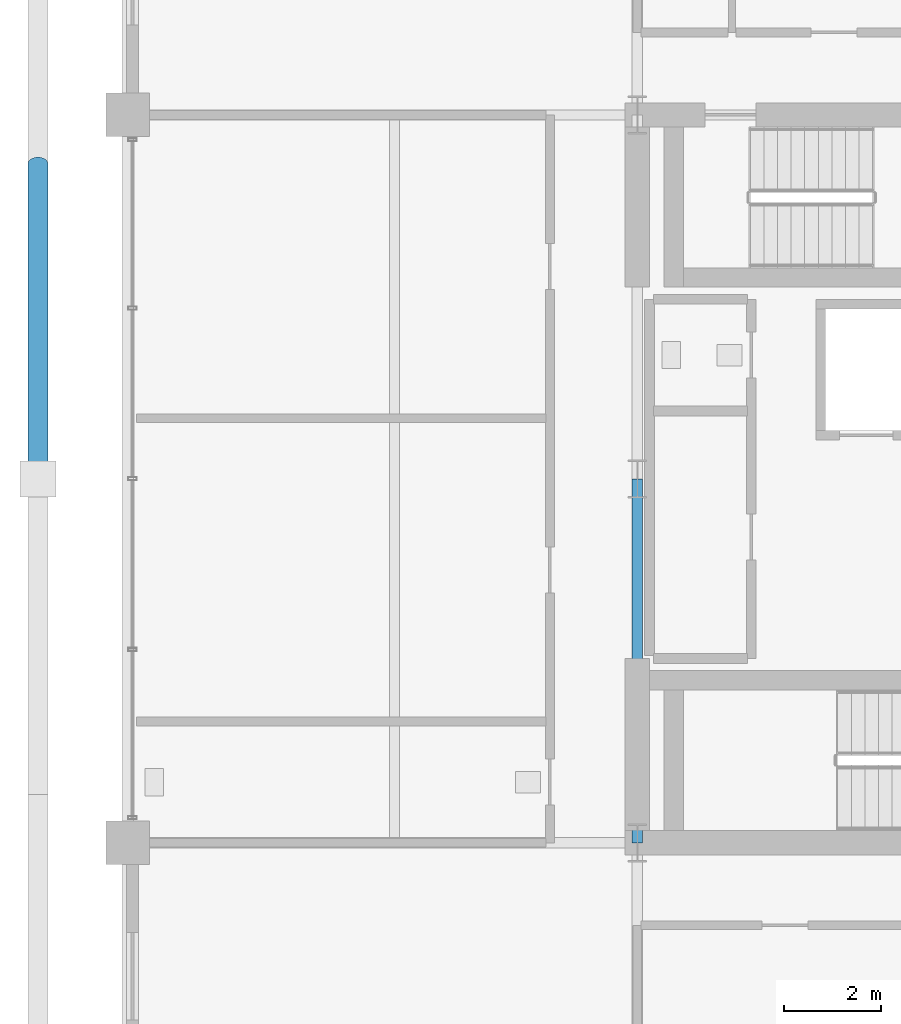
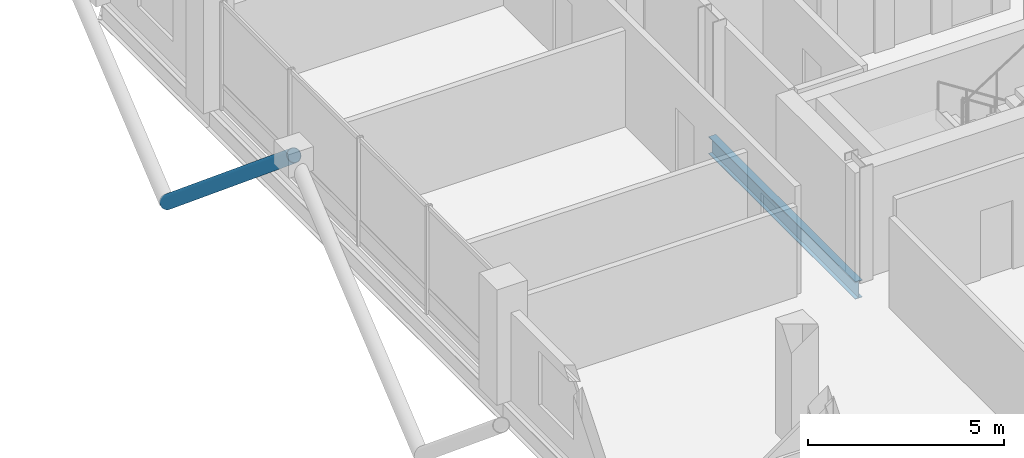
# One storey, part 8 of 23: 1 beam, 1 member.
"""IFC4 building model written with IfcOpenShell, lengths in metres."""

import ifcopenshell
import ifcopenshell.guid

model = None  # the IFC model being written
_history = None  # IfcOwnerHistory: only IFC2X3 demands one
_inside = {}  # id of a spatial element -> (the spatial element, [elements in it])
_under = {}  # id of a project, library or spatial element -> (it, [spatial elements below it])
_declared = {}  # id of a project -> (the project, [libraries it declares])
_typed = {}  # id of a type object -> (the type object, [elements of that type])
_made_of = {}  # id of a material, layer set ... -> (it, [elements and type objects made of it])


def new_model(schema):
    """Start an empty IFC model of exactly this schema.

    Asked for "IFC4X3", IfcOpenShell would pick the latest addendum, in which some entities
    have other attributes; the version numbers below select the first issue.
    IFC2X3 requires an IfcOwnerHistory on every rooted entity: one is made here for all.
    """
    global model, _history
    if schema == "IFC4X3":
        model = ifcopenshell.file(schema_version=(4, 3, 0, 0))
    else:
        model = ifcopenshell.file(schema=schema)
    _inside.clear()
    _under.clear()
    _declared.clear()
    _typed.clear()
    _made_of.clear()
    _history = None
    if model.schema == "IFC2X3":
        org = make("IfcOrganization", Name="unknown")
        user = make(
            "IfcPersonAndOrganization",
            ThePerson=make("IfcPerson", FamilyName="unknown"),
            TheOrganization=org,
        )
        app = make(
            "IfcApplication",
            ApplicationDeveloper=org,
            Version="unknown",
            ApplicationFullName="unknown",
            ApplicationIdentifier="unknown",
        )
        _history = make(
            "IfcOwnerHistory",
            OwningUser=user,
            OwningApplication=app,
            ChangeAction="ADDED",
            CreationDate=0,
        )
    return model


def make(cls, **values):
    """One entity of the class cls with the attributes given. An attribute that is None is left unset."""
    return model.create_entity(
        cls, **{name: value for name, value in values.items() if value is not None}
    )


def rooted(cls, **values):
    """An entity with a GlobalId (a new one), such as an element, a storey or a relation."""
    return make(cls, GlobalId=ifcopenshell.guid.new(), OwnerHistory=_history, **values)


def si_unit(unit_type, name, prefix=None):
    """IfcSIUnit, for example si_unit("LENGTHUNIT", "METRE", prefix="MILLI")."""
    return make("IfcSIUnit", UnitType=unit_type, Prefix=prefix, Name=name)


def assignment(units):
    """IfcUnitAssignment: the units of a project."""
    return None if units is None else make("IfcUnitAssignment", Units=units)


def point(xyz):
    """IfcCartesianPoint."""
    return None if xyz is None else make("IfcCartesianPoint", Coordinates=xyz)


def direction(xyz):
    """IfcDirection."""
    return None if xyz is None else make("IfcDirection", DirectionRatios=xyz)


def frame(location, z_axis=None, x_axis=None):
    """IfcAxis2Placement3D, a coordinate frame: its origin and axes. An axis left out is left unset."""
    return make(
        "IfcAxis2Placement3D",
        Location=point(location),
        Axis=direction(z_axis),
        RefDirection=direction(x_axis),
    )


def frame_2d(location, x_axis=None):
    """IfcAxis2Placement2D, a coordinate frame in the plane: its origin and x axis."""
    return make(
        "IfcAxis2Placement2D", Location=point(location), RefDirection=direction(x_axis)
    )


def origin():
    """The frame at (0, 0, 0) with its axes left unset."""
    return frame((0.0, 0.0, 0.0))


def origin_2d():
    """The frame at (0, 0) in the plane with its x axis left unset."""
    return frame_2d((0.0, 0.0))


def place(relative_to, where):
    """IfcLocalPlacement: puts the frame where relative to a parent placement (None: the world)."""
    return make(
        "IfcLocalPlacement", PlacementRelTo=relative_to, RelativePlacement=where
    )


def context(
    kind, dimensions, precision=None, world=None, true_north=None, identifier=None
):
    """IfcGeometricRepresentationContext, for example the 3D "Model" context."""
    return make(
        "IfcGeometricRepresentationContext",
        ContextIdentifier=identifier,
        ContextType=kind,
        CoordinateSpaceDimension=dimensions,
        Precision=precision,
        WorldCoordinateSystem=world,
        TrueNorth=true_north,
    )


def subcontext(parent, identifier, kind, view, scale=None):
    """IfcGeometricRepresentationSubContext, for example "Body" below "Model"."""
    return make(
        "IfcGeometricRepresentationSubContext",
        ContextIdentifier=identifier,
        ContextType=kind,
        ParentContext=parent,
        TargetScale=scale,
        TargetView=view,
    )


def project(units=None, contexts=None):
    """IfcProject with its units and contexts."""
    return rooted(
        "IfcProject",
        Name="project",
        RepresentationContexts=contexts,
        UnitsInContext=assignment(units),
    )


def spatial(cls, under=None, at=None, **own):
    """A site, building, storey or space (cls), placed at a placement, below another one or the project."""
    s = rooted(cls, ObjectPlacement=at, **own)
    if under is not None:
        _under.setdefault(under.id(), (under, []))[1].append(s)
    return s


def profile(cls, at=None, kind="AREA", **sizes):
    """A parametric profile (cls). Its sizes go by their IFC names, for example OverallWidth=200.0."""
    return make(cls, ProfileType=kind, Position=at, **sizes)


def hollow_circle(**sizes):
    """IfcCircleHollowProfileDef."""
    return profile("IfcCircleHollowProfileDef", **sizes)


def i_section(**sizes):
    """IfcIShapeProfileDef."""
    return profile("IfcIShapeProfileDef", **sizes)


def extrude(swept, where, along, depth):
    """IfcExtrudedAreaSolid: the profile swept, set in the frame where, extruded along a direction by depth."""
    return make(
        "IfcExtrudedAreaSolid",
        SweptArea=swept,
        Position=where,
        ExtrudedDirection=direction(along),
        Depth=depth,
    )


def shape(context_of_items, identifier, shape_type, items):
    """IfcShapeRepresentation: the items that make up one representation, for example the "Body"."""
    return make(
        "IfcShapeRepresentation",
        ContextOfItems=context_of_items,
        RepresentationIdentifier=identifier,
        RepresentationType=shape_type,
        Items=items,
    )


def material(Name=None, Category=None):
    """IfcMaterial."""
    return make("IfcMaterial", Name=Name, Category=Category)


def material_profile(
    of_material, cross_section, Name=None, Category=None, Priority=None
):
    """IfcMaterialProfile: a cross section and its material."""
    return make(
        "IfcMaterialProfile",
        Name=Name,
        Material=of_material,
        Profile=cross_section,
        Priority=Priority,
        Category=Category,
    )


def profile_set(profiles, Name=None, composite=None):
    """IfcMaterialProfileSet."""
    return make(
        "IfcMaterialProfileSet",
        Name=Name,
        MaterialProfiles=profiles,
        CompositeProfile=composite,
    )


def made_of(thing, what):
    """Note that an element or type object is made of a material, layer set ...; save() writes the relation."""
    if what is not None:
        _made_of.setdefault(what.id(), (what, []))[1].append(thing)
    return thing


def type_object(cls, material=None, **own):
    """A type object (cls), such as IfcWallType, which elements share."""
    return made_of(rooted(cls, **own), material)


def element(
    cls,
    number,
    at=None,
    inside=None,
    cuts=None,
    type_object=None,
    material=None,
    context=None,
    identifier="Body",
    shape_type=None,
    held_by="IfcProductDefinitionShape",
    body=None,
    shapes=None,
    **own,
):
    """One element of the class cls, such as IfcWall. Its Tag is "e" and its number.

    at: its placement. inside: the storey or other place that contains it. cuts: it is an
    opening in that element (IfcRelVoidsElement). A single representation is given by context,
    identifier, shape_type and body (its items); several are given by shapes. held_by: the class
    of the entity that holds the representations. save() writes the other relations.
    """
    e = rooted(cls, Tag="e%d" % number, ObjectPlacement=at, **own)
    if body is not None:
        shapes = [shape(context, identifier, shape_type, body)]
    if shapes is not None:
        e.Representation = make(held_by, Representations=shapes)
    if inside is not None:
        _inside.setdefault(inside.id(), (inside, []))[1].append(e)
    if cuts is not None:
        rooted(
            "IfcRelVoidsElement", RelatingBuildingElement=cuts, RelatedOpeningElement=e
        )
    if type_object is not None:
        _typed.setdefault(type_object.id(), (type_object, []))[1].append(e)
    return made_of(e, material)


def aggregate(whole, parts):
    """IfcRelAggregates: a whole, such as a stair, and the parts it consists of."""
    return rooted("IfcRelAggregates", RelatingObject=whole, RelatedObjects=parts)


def save(model, path):
    """Write the relations noted so far, then the file.

    IfcRelAggregates (storeys below a building ...), IfcRelContainedInSpatialStructure (elements
    in a storey), IfcRelDefinesByType, IfcRelAssociatesMaterial and IfcRelDeclares: one each for
    every whole, place, type object, material and project.
    """
    for whole, parts in _under.values():
        aggregate(whole, parts)
    for where, things in _inside.values():
        rooted(
            "IfcRelContainedInSpatialStructure",
            RelatedElements=things,
            RelatingStructure=where,
        )
    for kind, things in _typed.values():
        rooted("IfcRelDefinesByType", RelatedObjects=things, RelatingType=kind)
    for what, things in _made_of.values():
        rooted("IfcRelAssociatesMaterial", RelatedObjects=things, RelatingMaterial=what)
    for by, libraries in _declared.values():
        rooted("IfcRelDeclares", RelatingContext=by, RelatedDefinitions=libraries)
    model.write(path)


model = new_model("IFC4")

# Units and contexts
model_context = context("Model", 3, precision=1e-05, world=origin(), true_north=direction((0.0, 1.0)))
body_context = subcontext(model_context, "Body", "Model", "MODEL_VIEW")
ifc_project = project(units=[si_unit("LENGTHUNIT", "METRE"), si_unit("AREAUNIT", "SQUARE_METRE"), si_unit("VOLUMEUNIT", "CUBIC_METRE"), si_unit("PLANEANGLEUNIT", "RADIAN"), si_unit("MASSUNIT", "GRAM", prefix="KILO")], contexts=[model_context])

# Site, building, storey
site_placement = place(None, origin())
site = spatial("IfcSite", under=ifc_project, at=site_placement, CompositionType="ELEMENT")
building_placement = place(site_placement, origin())
building = spatial("IfcBuilding", under=site, at=building_placement, Name="Barlavira Tower and Art Museum", CompositionType="ELEMENT")
storey_placement = place(building_placement, frame((0.0, 0.0, 279.89990234375)))
storey = spatial("IfcBuildingStorey", under=building, at=storey_placement, Name="L73", CompositionType="ELEMENT", Elevation=279.89990234375)

# Member
ifc_material = material(Name="Steel S355", Category="steel")
ifc_material_profile_1 = material_profile(ifc_material, hollow_circle(Radius=0.203125, WallThickness=0.01611328125, at=origin_2d()), Name="CHS 406.4x16.0")
ifc_profile_set_1 = profile_set([ifc_material_profile_1], Name="Steel S355")
member_type = type_object("IfcMemberType", Name="Pale-Metal Exoskeleton Diagrid Tube CHS 406x16 Steel S355", PredefinedType="BRACE", material=ifc_profile_set_1)
member_placement = place(storey_placement, frame((-18.85009765625, 6.5, -1.919921875), z_axis=(0.0, -0.769196053329, 0.639012857104), x_axis=(1.0, 0.0, 0.0)))
element("IfcMember", 1, at=member_placement, inside=storey, type_object=member_type, Name="L73 Exoskeleton Diagrid Tube W", PredefinedType="BRACE", context=body_context, shape_type="SweptSolid", body=[
    extrude(hollow_circle(Radius=0.203125, WallThickness=0.01611328125, at=origin_2d()), origin(), (0.0, 0.0, 1.0), 8.450439453125),
])

# Beam
ifc_material_profile_2 = material_profile(ifc_material, i_section(OverallWidth=0.2109375, OverallDepth=0.5390625, WebThickness=0.01171875, FlangeThickness=0.018798828125, at=origin_2d()), Name="W530x109.0")
ifc_profile_set_2 = profile_set([ifc_material_profile_2], Name="Steel S355")
beam_type = type_object("IfcBeamType", Name="Zone 3-4 Primary Floor Girder W530x109 Steel S355", PredefinedType="BEAM", material=ifc_profile_set_2)
beam_placement = place(storey_placement, frame((-6.5, -7.5, -0.489501953125), z_axis=(0.0, 1.0, 0.0), x_axis=(-1.0, 0.0, 0.0)))
element("IfcBeam", 2, at=beam_placement, inside=storey, type_object=beam_type, Name="L73 Girder C-W1", PredefinedType="BEAM", context=body_context, shape_type="SweptSolid", body=[
    extrude(i_section(OverallWidth=0.2109375, OverallDepth=0.5390625, WebThickness=0.01171875, FlangeThickness=0.018798828125, at=origin_2d()), origin(), (0.0, 0.0, 1.0), 7.5),
])

save(model, "model.ifc")
